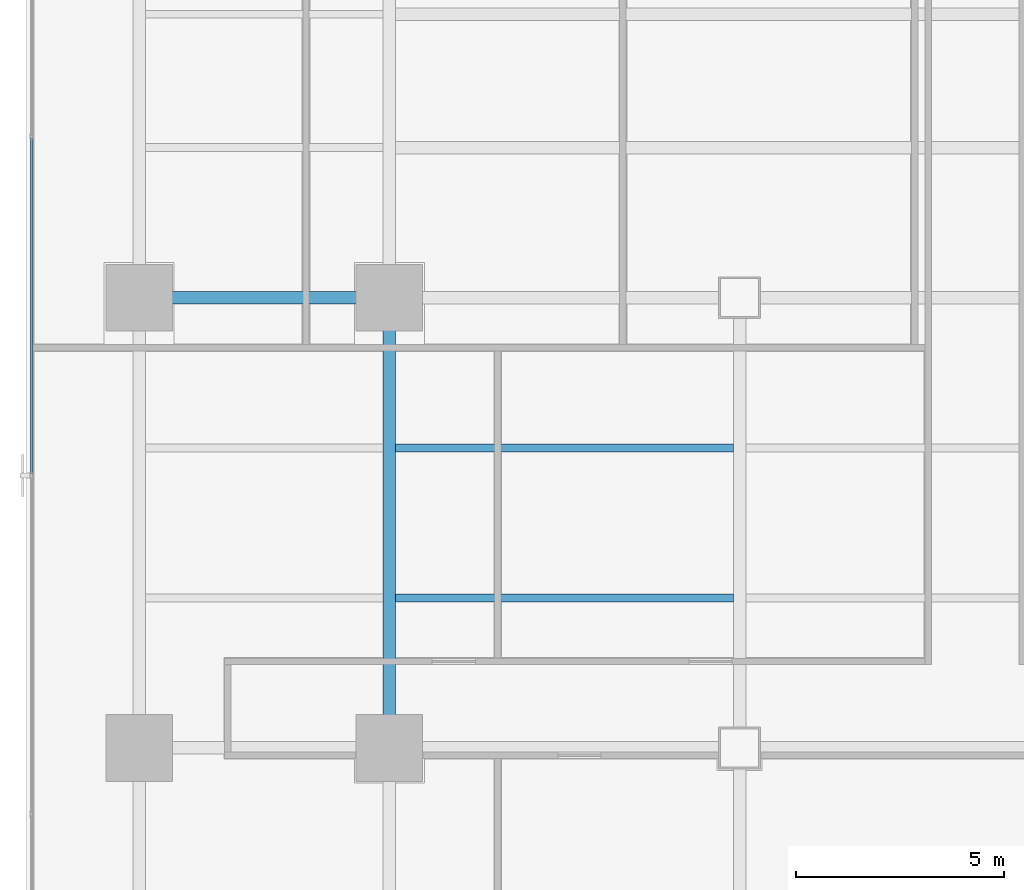
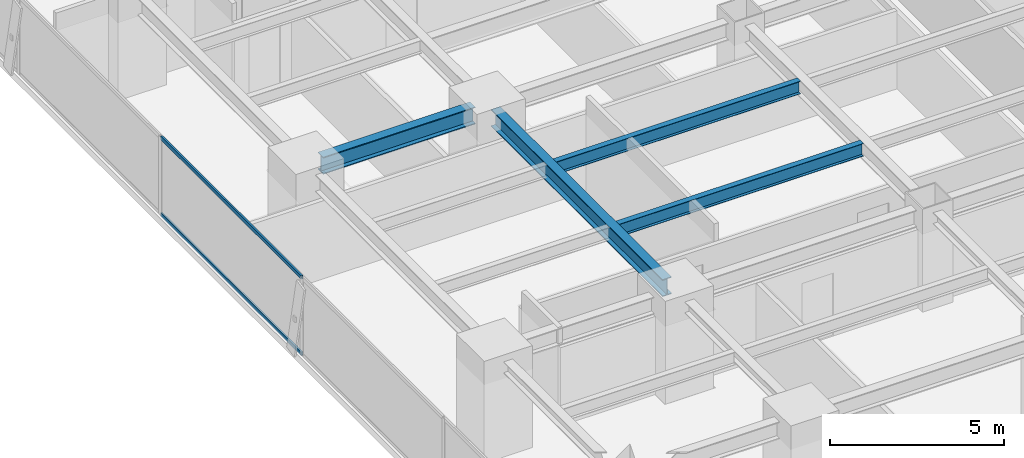
# One storey, part 9 of 36: 4 beams, 2 members, 1 element without a shape of its own.
"""IFC4 building model written with IfcOpenShell, lengths in metres."""

from ifc_helpers import new_model, si_unit, direction, frame, origin, origin_2d, place, context, subcontext, project, spatial, hollow_rectangle, i_section, extrude, source, transform, mapped, material, layer, layer_set, material_profile, profile_set, type_object, element, aggregate, save


model = new_model("IFC4")

# Units and contexts
model_context = context("Model", 3, precision=1e-05, world=origin(), true_north=direction((0.0, 1.0)))
body_context = subcontext(model_context, "Body", "Model", "MODEL_VIEW")
ifc_project = project(units=[si_unit("LENGTHUNIT", "METRE"), si_unit("AREAUNIT", "SQUARE_METRE"), si_unit("VOLUMEUNIT", "CUBIC_METRE"), si_unit("PLANEANGLEUNIT", "RADIAN"), si_unit("MASSUNIT", "GRAM", prefix="KILO")], contexts=[model_context])

# Site, building, storey
site_placement = place(None, origin())
site = spatial("IfcSite", under=ifc_project, at=site_placement, CompositionType="ELEMENT")
building_placement = place(site_placement, origin())
building = spatial("IfcBuilding", under=site, at=building_placement, Name="Sumidabori Civic Tower", CompositionType="ELEMENT")
storey_placement = place(building_placement, frame((0.0, 0.0, 92.0)))
storey = spatial("IfcBuildingStorey", under=building, at=storey_placement, Name="L23", CompositionType="ELEMENT", Elevation=92.0)

# Beams
ifc_material_1 = material(Name="Steel SN490", Category="steel")
ifc_material_profile_1 = material_profile(ifc_material_1, i_section(OverallWidth=0.300048828125, OverallDepth=0.60009765625, WebThickness=0.015380859375, FlangeThickness=0.030029296875, at=origin_2d()), Name="HE 600 B")
ifc_profile_set_1 = profile_set([ifc_material_profile_1], Name="Steel SN490")
beam_type_1 = type_object("IfcBeamType", Name="BM-GIRD-600", PredefinedType="BEAM", material=ifc_profile_set_1)
shared_shape_1 = source(origin(), body_context, "Body", "SweptSolid", [
    extrude(i_section(OverallWidth=0.300048828125, OverallDepth=0.60009765625, WebThickness=0.015380859375, FlangeThickness=0.030029296875, at=origin_2d()), origin(), (0.0, 0.0, 1.0), 5.0400390625),
])
beam_1_placement = place(storey_placement, frame((-22.320068359375, 0.0, 3.06005859375), z_axis=(1.0, 0.0, 0.0), x_axis=(0.0, 1.0, 0.0)))
element("IfcBeam", 1, at=beam_1_placement, inside=storey, type_object=beam_type_1, Name="Primary Girder L23 GX-13", PredefinedType="BEAM", context=body_context, shape_type="MappedRepresentation", body=[
    mapped(shared_shape_1, transform((0.0, 0.0, 0.0), x_axis=(1.0, 0.0, 0.0), y_axis=(0.0, 1.0, 0.0), z_axis=(0.0, 0.0, 1.0), scale=1.0)),
])
shared_shape_2 = source(origin(), body_context, "Body", "SweptSolid", [
    extrude(i_section(OverallWidth=0.300048828125, OverallDepth=0.60009765625, WebThickness=0.015380859375, FlangeThickness=0.030029296875, at=origin_2d()), origin(), (0.0, 0.0, 1.0), 9.840087890625),
])
beam_2_placement = place(storey_placement, frame((-16.800048828125, -10.320068359375, 3.06005859375), z_axis=(0.0, 1.0, 0.0), x_axis=(-1.0, 0.0, 0.0)))
element("IfcBeam", 2, at=beam_2_placement, inside=storey, type_object=beam_type_1, Name="Primary Girder L23 GY-26", PredefinedType="BEAM", context=body_context, shape_type="MappedRepresentation", body=[
    mapped(shared_shape_2, transform((0.0, 0.0, 0.0), x_axis=(1.0, 0.0, 0.0), y_axis=(0.0, 1.0, 0.0), z_axis=(0.0, 0.0, 1.0), scale=1.0)),
])
ifc_material_profile_2 = material_profile(ifc_material_1, i_section(OverallWidth=0.18994140625, OverallDepth=0.449951171875, WebThickness=0.009521484375, FlangeThickness=0.0146484375, at=origin_2d()), Name="IPE 450")
ifc_profile_set_2 = profile_set([ifc_material_profile_2], Name="Steel SN490")
beam_type_2 = type_object("IfcBeamType", Name="BM-JST-450", PredefinedType="JOIST", material=ifc_profile_set_2)
shared_shape_3 = source(origin(), body_context, "Body", "SweptSolid", [
    extrude(i_section(OverallWidth=0.18994140625, OverallDepth=0.449951171875, WebThickness=0.009521484375, FlangeThickness=0.0146484375, at=origin_2d()), origin(), (0.0, 0.0, 1.0), 8.099853515625),
])
for number, where, z_axis, x_axis, name in (
    (3, (-16.64990234375, -7.199951171875, 3.135009765625), (1.0, 0.0, 0.0), (0.0, 1.0, 0.0), "South Bay Floor Joist L23 JSTS-59"),
    (4, (-16.64990234375, -3.60009765625, 3.135009765625), (1.0, 0.0, 0.0), (0.0, 1.0, 0.0), "South Bay Floor Joist L23 JSTS-63"),
):
    element("IfcBeam", number, at=place(storey_placement, frame(where, z_axis=z_axis, x_axis=x_axis)), inside=storey, type_object=beam_type_2, Name=name, PredefinedType="JOIST", context=body_context, shape_type="MappedRepresentation", body=[
        mapped(shared_shape_3, transform((0.0, 0.0, 0.0), x_axis=(1.0, 0.0, 0.0), y_axis=(0.0, 1.0, 0.0), z_axis=(0.0, 0.0, 1.0), scale=1.0)),
    ])

# Curtain wall, members
ifc_material_2 = material(Name="Anodised Bronze Aluminium AW-6063-T6", Category="aluminium")
ifc_layer = layer(ifc_material_2, 0.179931640625, Name="Anodised Bronze Aluminium AW-6063-T6")
ifc_layer_set = layer_set([ifc_layer], Name="Anodised Bronze Aluminium AW-6063-T6")
curtain_wall_type = type_object("IfcCurtainWallType", Name="CW-SYS-3", PredefinedType="NOTDEFINED", material=ifc_layer_set)
curtain_wall_placement = place(storey_placement, origin())
curtain_wall = element("IfcCurtainWall", 5, at=curtain_wall_placement, inside=storey, type_object=curtain_wall_type, Name="Curtain Wall CW:L23:R10", PredefinedType="NOTDEFINED")
ifc_material_profile_3 = material_profile(ifc_material_2, hollow_rectangle(XDim=0.06005859375, YDim=0.1298828125, WallThickness=0.0048828125, at=origin_2d()), Name="ALU TRANSOM 130x60")
ifc_profile_set_3 = profile_set([ifc_material_profile_3], Name="Anodised Bronze Aluminium AW-6063-T6")
member_type = type_object("IfcMemberType", Name="CW-TRN-130", PredefinedType="USERDEFINED", material=ifc_profile_set_3)
shared_shape_4 = source(origin(), body_context, "Body", "SweptSolid", [
    extrude(hollow_rectangle(XDim=0.06005859375, YDim=0.1298828125, WallThickness=0.0048828125, at=origin_2d()), origin(), (0.0, 0.0, 1.0), 8.06298828125),
])
member_1_placement = place(storey_placement, frame((-25.3798828125, 3.83154296875, 0.030029296875), z_axis=(0.0, -1.0, 0.0), x_axis=(1.0, 0.0, 0.0)))
member_1 = element("IfcMember", 6, at=member_1_placement, type_object=member_type, Name="CW-3 transom 3.1", ObjectType="TRANSOM", PredefinedType="USERDEFINED", context=body_context, shape_type="MappedRepresentation", body=[
    mapped(shared_shape_4, transform((0.0, 0.0, 0.0), x_axis=(1.0, 0.0, 0.0), y_axis=(0.0, 1.0, 0.0), z_axis=(0.0, 0.0, 1.0), scale=1.0)),
])
member_2_placement = place(storey_placement, frame((-25.3798828125, 3.83154296875, 2.7099609375), z_axis=(0.0, -1.0, 0.0), x_axis=(1.0, 0.0, 0.0)))
member_2 = element("IfcMember", 7, at=member_2_placement, type_object=member_type, Name="CW-3 transom 3.2", ObjectType="TRANSOM", PredefinedType="USERDEFINED", context=body_context, shape_type="MappedRepresentation", body=[
    mapped(shared_shape_4, transform((0.0, 0.0, 0.0), x_axis=(1.0, 0.0, 0.0), y_axis=(0.0, 1.0, 0.0), z_axis=(0.0, 0.0, 1.0), scale=1.0)),
])
aggregate(curtain_wall, [member_1, member_2])

save(model, "model.ifc")
